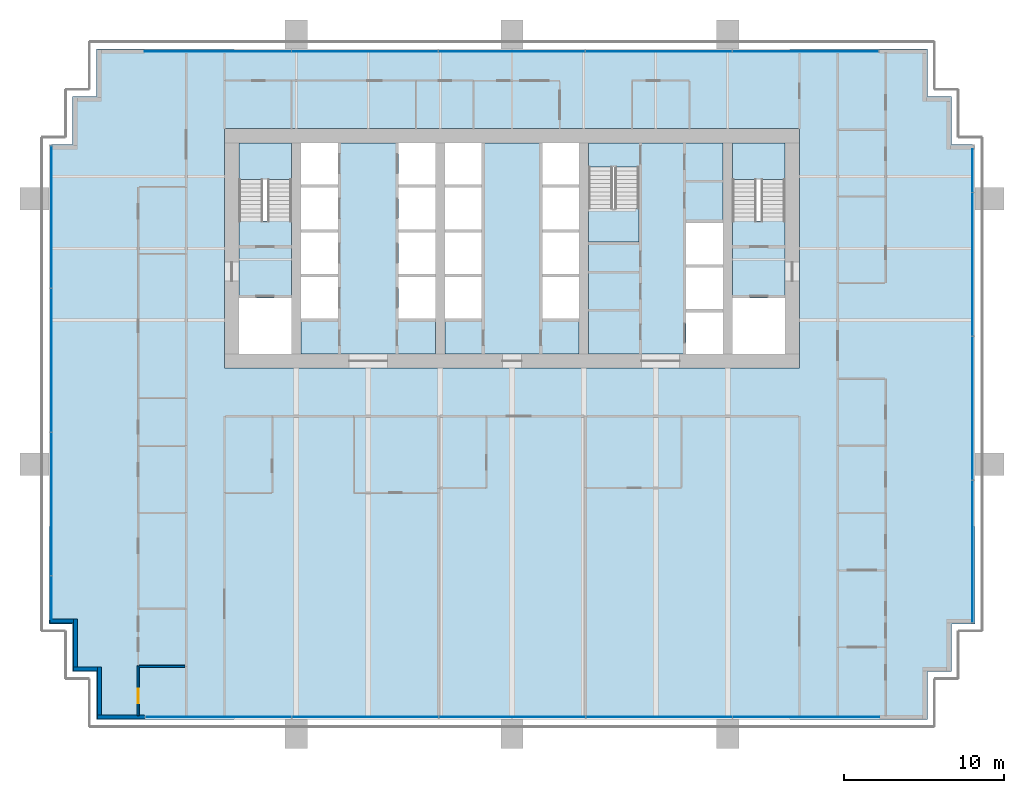
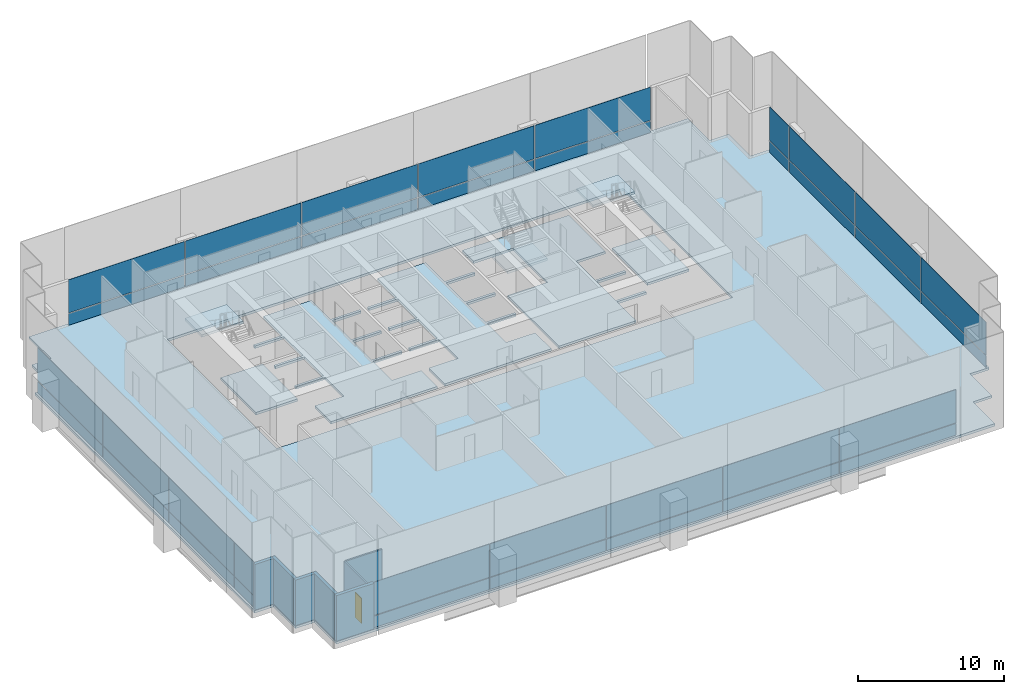
# One storey, part 9 of 17: 36 plates, 9 slabs, 7 walls, 1 door, 1 opening, 7 elements without a shape of their own.
"""IFC4 building model written with IfcOpenShell, lengths in metres."""

from ifc_helpers import new_model, si_unit, direction, frame, frame_2d, origin, origin_2d, place, context, subcontext, project, spatial, polyline, rectangle, outline, extrude, material, layer, layer_set, type_object, element, fill, aggregate, save


model = new_model("IFC4")

# Units and contexts
model_context = context("Model", 3, precision=1e-05, world=origin(), true_north=direction((0.0, 1.0)))
body_context = subcontext(model_context, "Body", "Model", "MODEL_VIEW")
ifc_project = project(units=[si_unit("LENGTHUNIT", "METRE"), si_unit("AREAUNIT", "SQUARE_METRE"), si_unit("VOLUMEUNIT", "CUBIC_METRE"), si_unit("PLANEANGLEUNIT", "RADIAN"), si_unit("MASSUNIT", "GRAM", prefix="KILO")], contexts=[model_context])

# Site, building, storey
site_placement = place(None, origin())
site = spatial("IfcSite", under=ifc_project, at=site_placement, CompositionType="ELEMENT")
building_placement = place(site_placement, origin())
building = spatial("IfcBuilding", under=site, at=building_placement, Name="Rattan Terrace Tower", CompositionType="ELEMENT")
storey_placement = place(building_placement, frame((0.0, 0.0, 138.10009765625)))
storey = spatial("IfcBuildingStorey", under=building, at=storey_placement, Name="L31", CompositionType="ELEMENT", Elevation=138.10009765625)

# Stair, slab
ifc_material_1 = material(Name="Concrete C40/50", Category="concrete")
stair_type = type_object("IfcStairType", Name="Core exit stair 1500", PredefinedType="HALF_TURN_STAIR", material=ifc_material_1)
stair_1_placement = place(storey_placement, origin())
stair_1 = element("IfcStair", 1, at=stair_1_placement, inside=storey, type_object=stair_type, Name="L31 exit stair 1", PredefinedType="HALF_TURN_STAIR")
ifc_material_2 = material(Name="Concrete C40/50", Category="concrete")
ifc_layer_1 = layer(ifc_material_2, 0.199951171875)
ifc_layer_set_1 = layer_set([ifc_layer_1], Name="Core exit stair landing")
slab_type_1 = type_object("IfcSlabType", Name="Core exit stair landing", PredefinedType="LANDING", material=ifc_layer_set_1)
slab_1_placement = place(storey_placement, frame((0.0, 0.0, 1.7998046875)))
slab_1 = element("IfcSlab", 2, at=slab_1_placement, type_object=slab_type_1, Name="S1 landing 1", PredefinedType="LANDING", context=body_context, shape_type="SweptSolid", body=[
    extrude(outline(polyline([(-13.800048828125, 4.300048828125), (-13.800048828125, 6.60009765625), (-17.10009765625, 6.60009765625), (-17.10009765625, 4.300048828125), (-13.800048828125, 4.300048828125)])), origin(), (0.0, 0.0, 1.0), 0.2001953125),
])
aggregate(stair_1, [slab_1])

stair_2_placement = place(storey_placement, origin())
stair_2 = element("IfcStair", 3, at=stair_2_placement, inside=storey, type_object=stair_type, Name="L31 exit stair 2", PredefinedType="HALF_TURN_STAIR")
slab_2_placement = place(storey_placement, frame((0.0, 0.0, 1.7998046875)))
slab_2 = element("IfcSlab", 4, at=slab_2_placement, type_object=slab_type_1, Name="S2 landing 1", PredefinedType="LANDING", context=body_context, shape_type="SweptSolid", body=[
    extrude(outline(polyline([(17.10009765625, 4.300048828125), (17.10009765625, 6.60009765625), (13.800048828125, 6.60009765625), (13.800048828125, 4.300048828125), (17.10009765625, 4.300048828125)])), origin(), (0.0, 0.0, 1.0), 0.2001953125),
])
aggregate(stair_2, [slab_2])

stair_3_placement = place(storey_placement, origin())
stair_3 = element("IfcStair", 5, at=stair_3_placement, inside=storey, type_object=stair_type, Name="L31 exit stair 3", PredefinedType="HALF_TURN_STAIR")
slab_3_placement = place(storey_placement, frame((0.0, 0.0, 1.7998046875)))
slab_3 = element("IfcSlab", 6, at=slab_3_placement, type_object=slab_type_1, Name="S3 landing 1", PredefinedType="LANDING", context=body_context, shape_type="SweptSolid", body=[
    extrude(outline(polyline([(4.800048828125, 2.5), (4.800048828125, 0.39990234375), (7.949951171875, 0.39990234375), (7.949951171875, 2.5), (4.800048828125, 2.5)])), origin(), (0.0, 0.0, 1.0), 0.2001953125),
])
aggregate(stair_3, [slab_3])

# Curtain wall, plates
ifc_material_3 = material(Name="Aluminium and glass", Category="aluminium")
curtain_wall_type = type_object("IfcCurtainWallType", Name="Facade Unitised Curtain Wall", PredefinedType="NOTDEFINED", material=ifc_material_3)
curtain_wall_1_placement = place(storey_placement, origin())
curtain_wall_1 = element("IfcCurtainWall", 7, at=curtain_wall_1_placement, inside=storey, type_object=curtain_wall_type, Name="Curtain wall L31-1", PredefinedType="NOTDEFINED")
ifc_material_4 = material(Name="Aluminium insulated spandrel panel", Category="aluminium")
ifc_layer_2 = layer(ifc_material_4, 0.028076171875)
ifc_layer_set_2 = layer_set([ifc_layer_2], Name="Facade CW Spandrel Panel")
plate_type_1 = type_object("IfcPlateType", Name="Facade CW Spandrel Panel", PredefinedType="CURTAIN_PANEL", material=ifc_layer_set_2)
plate_1_placement = place(storey_placement, frame((28.830078125, -18.96240234375, 0.0), z_axis=(0.0, 0.0, 1.0), x_axis=(0.0, 1.0, 0.0)))
plate_1 = element("IfcPlate", 8, at=plate_1_placement, type_object=plate_type_1, Name="Panel cwl-L31-001.1.1", PredefinedType="CURTAIN_PANEL", context=body_context, shape_type="SweptSolid", body=[
    extrude(rectangle(XDim=8.864990234375, YDim=0.028076171875, at=origin_2d()), origin(), (0.0, 0.0, 1.0), 0.969970703125),
])
plate_2_placement = place(storey_placement, frame((28.830078125, -10.0, 0.0), z_axis=(0.0, 0.0, 1.0), x_axis=(0.0, 1.0, 0.0)))
plate_2 = element("IfcPlate", 9, at=plate_2_placement, type_object=plate_type_1, Name="Panel cwl-L31-001.2.1", PredefinedType="CURTAIN_PANEL", context=body_context, shape_type="SweptSolid", body=[
    extrude(rectangle(XDim=8.93994140625, YDim=0.028076171875, at=origin_2d()), origin(), (0.0, 0.0, 1.0), 0.969970703125),
])
plate_3_placement = place(storey_placement, frame((28.830078125, -1.0, 0.0), z_axis=(0.0, 0.0, 1.0), x_axis=(0.0, 1.0, 0.0)))
plate_3 = element("IfcPlate", 10, at=plate_3_placement, type_object=plate_type_1, Name="Panel cwl-L31-001.3.1", PredefinedType="CURTAIN_PANEL", context=body_context, shape_type="SweptSolid", body=[
    extrude(rectangle(XDim=8.93994140625, YDim=0.028076171875, at=origin_2d()), origin(), (0.0, 0.0, 1.0), 0.969970703125),
])
plate_4_placement = place(storey_placement, frame((28.830078125, 4.867431640625, 0.0), z_axis=(0.0, 0.0, 1.0), x_axis=(0.0, 1.0, 0.0)))
plate_4 = element("IfcPlate", 11, at=plate_4_placement, type_object=plate_type_1, Name="Panel cwl-L31-001.4.1", PredefinedType="CURTAIN_PANEL", context=body_context, shape_type="SweptSolid", body=[
    extrude(rectangle(XDim=2.675048828125, YDim=0.028076171875, at=origin_2d()), origin(), (0.0, 0.0, 1.0), 0.969970703125),
])

curtain_wall_2_placement = place(storey_placement, origin())
curtain_wall_2 = element("IfcCurtainWall", 12, at=curtain_wall_2_placement, inside=storey, type_object=curtain_wall_type, Name="Curtain wall L31-2", PredefinedType="NOTDEFINED")
plate_5_placement = place(storey_placement, frame((18.384521484375, 12.330078125, 0.0), z_axis=(0.0, 0.0, 1.0), x_axis=(-1.0, 0.0, 0.0)))
plate_5 = element("IfcPlate", 13, at=plate_5_placement, type_object=plate_type_1, Name="Panel cwl-L31-002.1.1", PredefinedType="CURTAIN_PANEL", context=body_context, shape_type="SweptSolid", body=[
    extrude(rectangle(XDim=9.111083984375, YDim=0.028076171875, at=origin_2d()), origin(), (0.0, 0.0, 1.0), 0.969970703125),
])
plate_6_placement = place(storey_placement, frame((9.198486328125, 12.330078125, 0.0), z_axis=(0.0, 0.0, 1.0), x_axis=(-1.0, 0.0, 0.0)))
plate_6 = element("IfcPlate", 14, at=plate_6_placement, type_object=plate_type_1, Name="Panel cwl-L31-002.2.1", PredefinedType="CURTAIN_PANEL", context=body_context, shape_type="SweptSolid", body=[
    extrude(rectangle(XDim=9.14111328125, YDim=0.028076171875, at=origin_2d()), origin(), (0.0, 0.0, 1.0), 0.969970703125),
])
plate_7_placement = place(storey_placement, frame((-0.00244140625, 12.330078125, 0.0), z_axis=(0.0, 0.0, 1.0), x_axis=(-1.0, 0.0, 0.0)))
plate_7 = element("IfcPlate", 15, at=plate_7_placement, type_object=plate_type_1, Name="Panel cwl-L31-002.3.1", PredefinedType="CURTAIN_PANEL", context=body_context, shape_type="SweptSolid", body=[
    extrude(rectangle(XDim=9.14111328125, YDim=0.028076171875, at=origin_2d()), origin(), (0.0, 0.0, 1.0), 0.969970703125),
])
plate_8_placement = place(storey_placement, frame((-9.20361328125, 12.330078125, 0.0), z_axis=(0.0, 0.0, 1.0), x_axis=(-1.0, 0.0, 0.0)))
plate_8 = element("IfcPlate", 16, at=plate_8_placement, type_object=plate_type_1, Name="Panel cwl-L31-002.4.1", PredefinedType="CURTAIN_PANEL", context=body_context, shape_type="SweptSolid", body=[
    extrude(rectangle(XDim=9.14111328125, YDim=0.028076171875, at=origin_2d()), origin(), (0.0, 0.0, 1.0), 0.969970703125),
])
plate_9_placement = place(storey_placement, frame((-18.4169921875, 12.330078125, 0.0), z_axis=(0.0, 0.0, 1.0), x_axis=(-1.0, 0.0, 0.0)))
plate_9 = element("IfcPlate", 17, at=plate_9_placement, type_object=plate_type_1, Name="Panel cwl-L31-002.5.1", PredefinedType="CURTAIN_PANEL", context=body_context, shape_type="SweptSolid", body=[
    extrude(rectangle(XDim=9.166015625, YDim=0.028076171875, at=origin_2d()), origin(), (0.0, 0.0, 1.0), 0.969970703125),
])

curtain_wall_3_placement = place(storey_placement, origin())
curtain_wall_3 = element("IfcCurtainWall", 18, at=curtain_wall_3_placement, inside=storey, type_object=curtain_wall_type, Name="Curtain wall L31-3", PredefinedType="NOTDEFINED")
plate_10_placement = place(storey_placement, frame((-28.830078125, 1.96240234375, 0.0), z_axis=(0.0, 0.0, 1.0), x_axis=(0.0, -1.0, 0.0)))
plate_10 = element("IfcPlate", 19, at=plate_10_placement, type_object=plate_type_1, Name="Panel cwl-L31-003.1.1", PredefinedType="CURTAIN_PANEL", context=body_context, shape_type="SweptSolid", body=[
    extrude(rectangle(XDim=8.864990234375, YDim=0.028076171875, at=origin_2d()), origin(), (0.0, 0.0, 1.0), 0.969970703125),
])
plate_11_placement = place(storey_placement, frame((-28.830078125, -7.0, 0.0), z_axis=(0.0, 0.0, 1.0), x_axis=(0.0, -1.0, 0.0)))
plate_11 = element("IfcPlate", 20, at=plate_11_placement, type_object=plate_type_1, Name="Panel cwl-L31-003.2.1", PredefinedType="CURTAIN_PANEL", context=body_context, shape_type="SweptSolid", body=[
    extrude(rectangle(XDim=8.93994140625, YDim=0.028076171875, at=origin_2d()), origin(), (0.0, 0.0, 1.0), 0.969970703125),
])
plate_12_placement = place(storey_placement, frame((-28.830078125, -16.0, 0.0), z_axis=(0.0, 0.0, 1.0), x_axis=(0.0, -1.0, 0.0)))
plate_12 = element("IfcPlate", 21, at=plate_12_placement, type_object=plate_type_1, Name="Panel cwl-L31-003.3.1", PredefinedType="CURTAIN_PANEL", context=body_context, shape_type="SweptSolid", body=[
    extrude(rectangle(XDim=8.93994140625, YDim=0.028076171875, at=origin_2d()), origin(), (0.0, 0.0, 1.0), 0.969970703125),
])
plate_13_placement = place(storey_placement, frame((-28.830078125, -21.867431640625, 0.0), z_axis=(0.0, 0.0, 1.0), x_axis=(0.0, -1.0, 0.0)))
plate_13 = element("IfcPlate", 22, at=plate_13_placement, type_object=plate_type_1, Name="Panel cwl-L31-003.4.1", PredefinedType="CURTAIN_PANEL", context=body_context, shape_type="SweptSolid", body=[
    extrude(rectangle(XDim=2.675048828125, YDim=0.028076171875, at=origin_2d()), origin(), (0.0, 0.0, 1.0), 0.969970703125),
])

curtain_wall_4_placement = place(storey_placement, origin())
curtain_wall_4 = element("IfcCurtainWall", 23, at=curtain_wall_4_placement, inside=storey, type_object=curtain_wall_type, Name="Curtain wall L31-4", PredefinedType="NOTDEFINED")
plate_14_placement = place(storey_placement, frame((-18.384521484375, -29.330078125, 0.0), z_axis=(0.0, 0.0, 1.0), x_axis=(1.0, 0.0, 0.0)))
plate_14 = element("IfcPlate", 24, at=plate_14_placement, type_object=plate_type_1, Name="Panel cwl-L31-004.1.1", PredefinedType="CURTAIN_PANEL", context=body_context, shape_type="SweptSolid", body=[
    extrude(rectangle(XDim=9.111083984375, YDim=0.028076171875, at=origin_2d()), origin(), (0.0, 0.0, 1.0), 0.969970703125),
])
plate_15_placement = place(storey_placement, frame((-9.198486328125, -29.330078125, 0.0), z_axis=(0.0, 0.0, 1.0), x_axis=(1.0, 0.0, 0.0)))
plate_15 = element("IfcPlate", 25, at=plate_15_placement, type_object=plate_type_1, Name="Panel cwl-L31-004.2.1", PredefinedType="CURTAIN_PANEL", context=body_context, shape_type="SweptSolid", body=[
    extrude(rectangle(XDim=9.14111328125, YDim=0.028076171875, at=origin_2d()), origin(), (0.0, 0.0, 1.0), 0.969970703125),
])
plate_16_placement = place(storey_placement, frame((0.00244140625, -29.330078125, 0.0), z_axis=(0.0, 0.0, 1.0), x_axis=(1.0, 0.0, 0.0)))
plate_16 = element("IfcPlate", 26, at=plate_16_placement, type_object=plate_type_1, Name="Panel cwl-L31-004.3.1", PredefinedType="CURTAIN_PANEL", context=body_context, shape_type="SweptSolid", body=[
    extrude(rectangle(XDim=9.14111328125, YDim=0.028076171875, at=origin_2d()), origin(), (0.0, 0.0, 1.0), 0.969970703125),
])
plate_17_placement = place(storey_placement, frame((9.20361328125, -29.330078125, 0.0), z_axis=(0.0, 0.0, 1.0), x_axis=(1.0, 0.0, 0.0)))
plate_17 = element("IfcPlate", 27, at=plate_17_placement, type_object=plate_type_1, Name="Panel cwl-L31-004.4.1", PredefinedType="CURTAIN_PANEL", context=body_context, shape_type="SweptSolid", body=[
    extrude(rectangle(XDim=9.14111328125, YDim=0.028076171875, at=origin_2d()), origin(), (0.0, 0.0, 1.0), 0.969970703125),
])
plate_18_placement = place(storey_placement, frame((18.4169921875, -29.330078125, 0.0), z_axis=(0.0, 0.0, 1.0), x_axis=(1.0, 0.0, 0.0)))
plate_18 = element("IfcPlate", 28, at=plate_18_placement, type_object=plate_type_1, Name="Panel cwl-L31-004.5.1", PredefinedType="CURTAIN_PANEL", context=body_context, shape_type="SweptSolid", body=[
    extrude(rectangle(XDim=9.166015625, YDim=0.028076171875, at=origin_2d()), origin(), (0.0, 0.0, 1.0), 0.969970703125),
])

# Plate
ifc_material_5 = material(Name="Clear low-iron glass", Category="glass")
ifc_layer_3 = layer(ifc_material_5, 0.028076171875)
ifc_layer_set_3 = layer_set([ifc_layer_3], Name="Facade CW Vision Panel")
plate_type_2 = type_object("IfcPlateType", Name="Facade CW Vision Panel", PredefinedType="CURTAIN_PANEL", material=ifc_layer_set_3)
plate_19_placement = place(storey_placement, frame((28.830078125, -18.96240234375, 1.02978515625), z_axis=(0.0, 0.0, 1.0), x_axis=(0.0, 1.0, 0.0)))
plate_19 = element("IfcPlate", 29, at=plate_19_placement, type_object=plate_type_2, Name="Panel cwl-L31-001.1.2", PredefinedType="CURTAIN_PANEL", context=body_context, shape_type="SweptSolid", body=[
    extrude(rectangle(XDim=8.864990234375, YDim=0.028076171875, at=origin_2d()), origin(), (0.0, 0.0, 1.0), 2.77001953125),
])

plate_20_placement = place(storey_placement, frame((28.830078125, -10.0, 1.02978515625), z_axis=(0.0, 0.0, 1.0), x_axis=(0.0, 1.0, 0.0)))
plate_20 = element("IfcPlate", 30, at=plate_20_placement, type_object=plate_type_2, Name="Panel cwl-L31-001.2.2", PredefinedType="CURTAIN_PANEL", context=body_context, shape_type="SweptSolid", body=[
    extrude(rectangle(XDim=8.93994140625, YDim=0.028076171875, at=origin_2d()), origin(), (0.0, 0.0, 1.0), 2.77001953125),
])

plate_21_placement = place(storey_placement, frame((28.830078125, -1.0, 1.02978515625), z_axis=(0.0, 0.0, 1.0), x_axis=(0.0, 1.0, 0.0)))
plate_21 = element("IfcPlate", 31, at=plate_21_placement, type_object=plate_type_2, Name="Panel cwl-L31-001.3.2", PredefinedType="CURTAIN_PANEL", context=body_context, shape_type="SweptSolid", body=[
    extrude(rectangle(XDim=8.93994140625, YDim=0.028076171875, at=origin_2d()), origin(), (0.0, 0.0, 1.0), 2.77001953125),
])

plate_22_placement = place(storey_placement, frame((28.830078125, 4.867431640625, 1.02978515625), z_axis=(0.0, 0.0, 1.0), x_axis=(0.0, 1.0, 0.0)))
plate_22 = element("IfcPlate", 32, at=plate_22_placement, type_object=plate_type_2, Name="Panel cwl-L31-001.4.2", PredefinedType="CURTAIN_PANEL", context=body_context, shape_type="SweptSolid", body=[
    extrude(rectangle(XDim=2.675048828125, YDim=0.028076171875, at=origin_2d()), origin(), (0.0, 0.0, 1.0), 2.77001953125),
])

aggregate(curtain_wall_1, [plate_1, plate_19, plate_2, plate_20, plate_3, plate_21, plate_4, plate_22])

plate_23_placement = place(storey_placement, frame((18.384521484375, 12.330078125, 1.02978515625), z_axis=(0.0, 0.0, 1.0), x_axis=(-1.0, 0.0, 0.0)))
plate_23 = element("IfcPlate", 33, at=plate_23_placement, type_object=plate_type_2, Name="Panel cwl-L31-002.1.2", PredefinedType="CURTAIN_PANEL", context=body_context, shape_type="SweptSolid", body=[
    extrude(rectangle(XDim=9.111083984375, YDim=0.028076171875, at=origin_2d()), origin(), (0.0, 0.0, 1.0), 2.77001953125),
])

plate_24_placement = place(storey_placement, frame((9.198486328125, 12.330078125, 1.02978515625), z_axis=(0.0, 0.0, 1.0), x_axis=(-1.0, 0.0, 0.0)))
plate_24 = element("IfcPlate", 34, at=plate_24_placement, type_object=plate_type_2, Name="Panel cwl-L31-002.2.2", PredefinedType="CURTAIN_PANEL", context=body_context, shape_type="SweptSolid", body=[
    extrude(rectangle(XDim=9.14111328125, YDim=0.028076171875, at=origin_2d()), origin(), (0.0, 0.0, 1.0), 2.77001953125),
])

plate_25_placement = place(storey_placement, frame((-0.00244140625, 12.330078125, 1.02978515625), z_axis=(0.0, 0.0, 1.0), x_axis=(-1.0, 0.0, 0.0)))
plate_25 = element("IfcPlate", 35, at=plate_25_placement, type_object=plate_type_2, Name="Panel cwl-L31-002.3.2", PredefinedType="CURTAIN_PANEL", context=body_context, shape_type="SweptSolid", body=[
    extrude(rectangle(XDim=9.14111328125, YDim=0.028076171875, at=origin_2d()), origin(), (0.0, 0.0, 1.0), 2.77001953125),
])

plate_26_placement = place(storey_placement, frame((-9.20361328125, 12.330078125, 1.02978515625), z_axis=(0.0, 0.0, 1.0), x_axis=(-1.0, 0.0, 0.0)))
plate_26 = element("IfcPlate", 36, at=plate_26_placement, type_object=plate_type_2, Name="Panel cwl-L31-002.4.2", PredefinedType="CURTAIN_PANEL", context=body_context, shape_type="SweptSolid", body=[
    extrude(rectangle(XDim=9.14111328125, YDim=0.028076171875, at=origin_2d()), origin(), (0.0, 0.0, 1.0), 2.77001953125),
])

plate_27_placement = place(storey_placement, frame((-18.4169921875, 12.330078125, 1.02978515625), z_axis=(0.0, 0.0, 1.0), x_axis=(-1.0, 0.0, 0.0)))
plate_27 = element("IfcPlate", 37, at=plate_27_placement, type_object=plate_type_2, Name="Panel cwl-L31-002.5.2", PredefinedType="CURTAIN_PANEL", context=body_context, shape_type="SweptSolid", body=[
    extrude(rectangle(XDim=9.166015625, YDim=0.028076171875, at=origin_2d()), origin(), (0.0, 0.0, 1.0), 2.77001953125),
])

aggregate(curtain_wall_2, [plate_5, plate_23, plate_6, plate_24, plate_7, plate_25, plate_8, plate_26, plate_9, plate_27])

plate_28_placement = place(storey_placement, frame((-28.830078125, 1.96240234375, 1.02978515625), z_axis=(0.0, 0.0, 1.0), x_axis=(0.0, -1.0, 0.0)))
plate_28 = element("IfcPlate", 38, at=plate_28_placement, type_object=plate_type_2, Name="Panel cwl-L31-003.1.2", PredefinedType="CURTAIN_PANEL", context=body_context, shape_type="SweptSolid", body=[
    extrude(rectangle(XDim=8.864990234375, YDim=0.028076171875, at=origin_2d()), origin(), (0.0, 0.0, 1.0), 2.77001953125),
])

plate_29_placement = place(storey_placement, frame((-28.830078125, -7.0, 1.02978515625), z_axis=(0.0, 0.0, 1.0), x_axis=(0.0, -1.0, 0.0)))
plate_29 = element("IfcPlate", 39, at=plate_29_placement, type_object=plate_type_2, Name="Panel cwl-L31-003.2.2", PredefinedType="CURTAIN_PANEL", context=body_context, shape_type="SweptSolid", body=[
    extrude(rectangle(XDim=8.93994140625, YDim=0.028076171875, at=origin_2d()), origin(), (0.0, 0.0, 1.0), 2.77001953125),
])

plate_30_placement = place(storey_placement, frame((-28.830078125, -16.0, 1.02978515625), z_axis=(0.0, 0.0, 1.0), x_axis=(0.0, -1.0, 0.0)))
plate_30 = element("IfcPlate", 40, at=plate_30_placement, type_object=plate_type_2, Name="Panel cwl-L31-003.3.2", PredefinedType="CURTAIN_PANEL", context=body_context, shape_type="SweptSolid", body=[
    extrude(rectangle(XDim=8.93994140625, YDim=0.028076171875, at=origin_2d()), origin(), (0.0, 0.0, 1.0), 2.77001953125),
])

plate_31_placement = place(storey_placement, frame((-28.830078125, -21.867431640625, 1.02978515625), z_axis=(0.0, 0.0, 1.0), x_axis=(0.0, -1.0, 0.0)))
plate_31 = element("IfcPlate", 41, at=plate_31_placement, type_object=plate_type_2, Name="Panel cwl-L31-003.4.2", PredefinedType="CURTAIN_PANEL", context=body_context, shape_type="SweptSolid", body=[
    extrude(rectangle(XDim=2.675048828125, YDim=0.028076171875, at=origin_2d()), origin(), (0.0, 0.0, 1.0), 2.77001953125),
])

aggregate(curtain_wall_3, [plate_10, plate_28, plate_11, plate_29, plate_12, plate_30, plate_13, plate_31])

plate_32_placement = place(storey_placement, frame((-18.384521484375, -29.330078125, 1.02978515625), z_axis=(0.0, 0.0, 1.0), x_axis=(1.0, 0.0, 0.0)))
plate_32 = element("IfcPlate", 42, at=plate_32_placement, type_object=plate_type_2, Name="Panel cwl-L31-004.1.2", PredefinedType="CURTAIN_PANEL", context=body_context, shape_type="SweptSolid", body=[
    extrude(rectangle(XDim=9.111083984375, YDim=0.028076171875, at=origin_2d()), origin(), (0.0, 0.0, 1.0), 2.77001953125),
])

plate_33_placement = place(storey_placement, frame((-9.198486328125, -29.330078125, 1.02978515625), z_axis=(0.0, 0.0, 1.0), x_axis=(1.0, 0.0, 0.0)))
plate_33 = element("IfcPlate", 43, at=plate_33_placement, type_object=plate_type_2, Name="Panel cwl-L31-004.2.2", PredefinedType="CURTAIN_PANEL", context=body_context, shape_type="SweptSolid", body=[
    extrude(rectangle(XDim=9.14111328125, YDim=0.028076171875, at=origin_2d()), origin(), (0.0, 0.0, 1.0), 2.77001953125),
])

plate_34_placement = place(storey_placement, frame((0.00244140625, -29.330078125, 1.02978515625), z_axis=(0.0, 0.0, 1.0), x_axis=(1.0, 0.0, 0.0)))
plate_34 = element("IfcPlate", 44, at=plate_34_placement, type_object=plate_type_2, Name="Panel cwl-L31-004.3.2", PredefinedType="CURTAIN_PANEL", context=body_context, shape_type="SweptSolid", body=[
    extrude(rectangle(XDim=9.14111328125, YDim=0.028076171875, at=origin_2d()), origin(), (0.0, 0.0, 1.0), 2.77001953125),
])

plate_35_placement = place(storey_placement, frame((9.20361328125, -29.330078125, 1.02978515625), z_axis=(0.0, 0.0, 1.0), x_axis=(1.0, 0.0, 0.0)))
plate_35 = element("IfcPlate", 45, at=plate_35_placement, type_object=plate_type_2, Name="Panel cwl-L31-004.4.2", PredefinedType="CURTAIN_PANEL", context=body_context, shape_type="SweptSolid", body=[
    extrude(rectangle(XDim=9.14111328125, YDim=0.028076171875, at=origin_2d()), origin(), (0.0, 0.0, 1.0), 2.77001953125),
])

plate_36_placement = place(storey_placement, frame((18.4169921875, -29.330078125, 1.02978515625), z_axis=(0.0, 0.0, 1.0), x_axis=(1.0, 0.0, 0.0)))
plate_36 = element("IfcPlate", 46, at=plate_36_placement, type_object=plate_type_2, Name="Panel cwl-L31-004.5.2", PredefinedType="CURTAIN_PANEL", context=body_context, shape_type="SweptSolid", body=[
    extrude(rectangle(XDim=9.166015625, YDim=0.028076171875, at=origin_2d()), origin(), (0.0, 0.0, 1.0), 2.77001953125),
])

aggregate(curtain_wall_4, [plate_14, plate_32, plate_15, plate_33, plate_16, plate_34, plate_17, plate_35, plate_18, plate_36])

# Slabs
ifc_material_6 = material(Name="Concrete C35/45", Category="concrete")
ifc_layer_4 = layer(ifc_material_6, 0.199951171875)
ifc_layer_set_4 = layer_set([ifc_layer_4], Name="Frame composite floor slab 200")
slab_type_2 = type_object("IfcSlabType", Name="Frame composite floor slab 200", PredefinedType="FLOOR", material=ifc_layer_set_4)
slab_4_placement = place(storey_placement, frame((0.0, 0.0, -0.2001953125)))
element("IfcSlab", 47, at=slab_4_placement, inside=storey, type_object=slab_type_2, Name="Floor slab", PredefinedType="FLOOR", context=body_context, shape_type="SweptSolid", body=[
    extrude(outline(polyline([(-23.0, -29.5), (23.0, -29.5), (26.0, -29.5), (26.0, -26.5), (27.5, -26.5), (27.5, -23.5), (29.0, -23.5), (29.0, 6.5), (27.5, 6.5), (27.5, 9.5), (26.0, 9.5), (26.0, 12.5), (23.0, 12.5), (-23.0, 12.5), (-26.0, 12.5), (-26.0, 9.5), (-27.5, 9.5), (-27.5, 6.5), (-29.0, 6.5), (-29.0, -23.5), (-27.5, -23.5), (-27.5, -26.5), (-26.0, -26.5), (-26.0, -29.5), (-23.0, -29.5)]), holes=[polyline([(-18.0, -6.60009765625), (-18.0, -7.5), (18.0, -7.5), (18.0, -6.60009765625), (18.0, 6.60009765625), (18.0, 7.5), (-18.0, 7.5), (-18.0, 6.60009765625), (-18.0, -6.60009765625)])]), origin(), (0.0, 0.0, 1.0), 0.2001953125),
])
slab_5_placement = place(storey_placement, frame((0.0, 0.0, -0.2001953125)))
element("IfcSlab", 48, at=slab_5_placement, inside=storey, type_object=slab_type_2, Name="Floor slab", PredefinedType="FLOOR", context=body_context, shape_type="SweptSolid", body=[
    extrude(outline(polyline([(-10.89990234375, 6.60009765625), (-10.89990234375, 4.0), (-13.199951171875, 4.0), (-13.199951171875, 3.800048828125), (-10.89990234375, 3.800048828125), (-10.89990234375, 1.199951171875), (-13.199951171875, 1.199951171875), (-13.199951171875, 1.0), (-10.89990234375, 1.0), (-10.89990234375, -1.60009765625), (-13.199951171875, -1.60009765625), (-13.199951171875, -1.800048828125), (-10.89990234375, -1.800048828125), (-10.89990234375, -4.39990234375), (-13.199951171875, -4.39990234375), (-13.199951171875, -6.60009765625), (-4.800048828125, -6.60009765625), (-4.800048828125, -4.39990234375), (-7.10009765625, -4.39990234375), (-7.10009765625, -1.800048828125), (-4.800048828125, -1.800048828125), (-4.800048828125, -1.60009765625), (-7.10009765625, -1.60009765625), (-7.10009765625, 1.0), (-4.800048828125, 1.0), (-4.800048828125, 1.199951171875), (-7.10009765625, 1.199951171875), (-7.10009765625, 3.800048828125), (-4.800048828125, 3.800048828125), (-4.800048828125, 4.0), (-7.10009765625, 4.0), (-7.10009765625, 6.60009765625), (-10.89990234375, 6.60009765625)])), origin(), (0.0, 0.0, 1.0), 0.2001953125),
])
slab_6_placement = place(storey_placement, frame((0.0, 0.0, -0.2001953125)))
element("IfcSlab", 49, at=slab_6_placement, inside=storey, type_object=slab_type_2, Name="Floor slab", PredefinedType="FLOOR", context=body_context, shape_type="SweptSolid", body=[
    extrude(outline(polyline([(-17.10009765625, -3.10009765625), (-13.800048828125, -3.10009765625), (-13.800048828125, 1.7099609375), (-17.10009765625, 1.7099609375), (-17.10009765625, -3.10009765625)])), origin(), (0.0, 0.0, 1.0), 0.2001953125),
])
slab_7_placement = place(storey_placement, frame((0.0, 0.0, -0.2001953125)))
element("IfcSlab", 50, at=slab_7_placement, inside=storey, type_object=slab_type_2, Name="Floor slab", PredefinedType="FLOOR", context=body_context, shape_type="SweptSolid", body=[
    extrude(outline(polyline([(-4.199951171875, 4.0), (-4.199951171875, 3.800048828125), (-1.89990234375, 3.800048828125), (-1.89990234375, 1.199951171875), (-4.199951171875, 1.199951171875), (-4.199951171875, 1.0), (-1.89990234375, 1.0), (-1.89990234375, -1.60009765625), (-4.199951171875, -1.60009765625), (-4.199951171875, -1.800048828125), (-1.89990234375, -1.800048828125), (-1.89990234375, -4.39990234375), (-4.199951171875, -4.39990234375), (-4.199951171875, -6.60009765625), (4.199951171875, -6.60009765625), (4.199951171875, -4.39990234375), (1.89990234375, -4.39990234375), (1.89990234375, -1.800048828125), (4.199951171875, -1.800048828125), (4.199951171875, -1.60009765625), (1.89990234375, -1.60009765625), (1.89990234375, 1.0), (4.199951171875, 1.0), (4.199951171875, 1.199951171875), (1.89990234375, 1.199951171875), (1.89990234375, 3.800048828125), (4.199951171875, 3.800048828125), (4.199951171875, 4.0), (1.89990234375, 4.0), (1.89990234375, 6.60009765625), (-1.89990234375, 6.60009765625), (-1.89990234375, 4.0), (-4.199951171875, 4.0)])), origin(), (0.0, 0.0, 1.0), 0.2001953125),
])
slab_8_placement = place(storey_placement, frame((0.0, 0.0, -0.2001953125)))
element("IfcSlab", 51, at=slab_8_placement, inside=storey, type_object=slab_type_2, Name="Floor slab", PredefinedType="FLOOR", context=body_context, shape_type="SweptSolid", body=[
    extrude(outline(polyline([(4.800048828125, 5.090087890625), (7.949951171875, 5.090087890625), (7.949951171875, 0.39990234375), (4.800048828125, 0.39990234375), (4.800048828125, -6.60009765625), (10.89990234375, -6.60009765625), (10.89990234375, -4.0), (13.199951171875, -4.0), (13.199951171875, -3.800048828125), (10.89990234375, -3.800048828125), (10.89990234375, -1.199951171875), (13.199951171875, -1.199951171875), (13.199951171875, -1.0), (10.89990234375, -1.0), (10.89990234375, 1.60009765625), (13.199951171875, 1.60009765625), (13.199951171875, 6.60009765625), (4.800048828125, 6.60009765625), (4.800048828125, 5.090087890625)])), origin(), (0.0, 0.0, 1.0), 0.2001953125),
])
slab_9_placement = place(storey_placement, frame((0.0, 0.0, -0.2001953125)))
element("IfcSlab", 52, at=slab_9_placement, inside=storey, type_object=slab_type_2, Name="Floor slab", PredefinedType="FLOOR", context=body_context, shape_type="SweptSolid", body=[
    extrude(outline(polyline([(13.800048828125, -3.10009765625), (17.10009765625, -3.10009765625), (17.10009765625, 1.7099609375), (13.800048828125, 1.7099609375), (13.800048828125, -3.10009765625)])), origin(), (0.0, 0.0, 1.0), 0.2001953125),
])

# Walls
ifc_material_7 = material(Name="Insulated aluminium-clad stud wall", Category="aluminium")
ifc_layer_5 = layer(ifc_material_7, 0.25)
ifc_layer_set_5 = layer_set([ifc_layer_5], Name="Facade Riser Wall 250")
wall_type_1 = type_object("IfcWallType", Name="Facade Riser Wall 250", PredefinedType="SOLIDWALL", material=ifc_layer_set_5)
wall_1_placement = place(storey_placement, frame((-28.909912109375, -23.330078125, 0.0), z_axis=(0.0, 0.0, 1.0), x_axis=(1.0, 0.0, 0.0)))
element("IfcWall", 53, at=wall_1_placement, inside=storey, type_object=wall_type_1, Name="Riser wall L31-16", PredefinedType="SOLIDWALL", context=body_context, shape_type="SweptSolid", body=[
    extrude(rectangle(XDim=1.454833984375, YDim=0.25, at=frame_2d((0.7275390625, 0.0))), origin(), (0.0, 0.0, 1.0), 3.7998046875),
])
wall_2_placement = place(storey_placement, frame((-27.330078125, -23.205078125, 0.0), z_axis=(0.0, 0.0, 1.0), x_axis=(0.0, -1.0, 0.0)))
element("IfcWall", 54, at=wall_2_placement, inside=storey, type_object=wall_type_1, Name="Riser wall L31-17", PredefinedType="SOLIDWALL", context=body_context, shape_type="SweptSolid", body=[
    extrude(rectangle(XDim=3.0, YDim=0.25, at=frame_2d((1.5, 0.0))), origin(), (0.0, 0.0, 1.0), 3.7998046875),
])
wall_3_placement = place(storey_placement, frame((-27.455078125, -26.330078125, 0.0), z_axis=(0.0, 0.0, 1.0), x_axis=(1.0, 0.0, 0.0)))
element("IfcWall", 55, at=wall_3_placement, inside=storey, type_object=wall_type_1, Name="Riser wall L31-18", PredefinedType="SOLIDWALL", context=body_context, shape_type="SweptSolid", body=[
    extrude(rectangle(XDim=1.5, YDim=0.25, at=frame_2d((0.75, 0.0))), origin(), (0.0, 0.0, 1.0), 3.7998046875),
])
wall_4_placement = place(storey_placement, frame((-25.830078125, -26.205078125, 0.0), z_axis=(0.0, 0.0, 1.0), x_axis=(0.0, -1.0, 0.0)))
element("IfcWall", 56, at=wall_4_placement, inside=storey, type_object=wall_type_1, Name="Riser wall L31-19", PredefinedType="SOLIDWALL", context=body_context, shape_type="SweptSolid", body=[
    extrude(rectangle(XDim=3.0, YDim=0.25, at=frame_2d((1.5, 0.0))), origin(), (0.0, 0.0, 1.0), 3.7998046875),
])
wall_5_placement = place(storey_placement, frame((-25.955078125, -29.330078125, 0.0), z_axis=(0.0, 0.0, 1.0), x_axis=(1.0, 0.0, 0.0)))
element("IfcWall", 57, at=wall_5_placement, inside=storey, type_object=wall_type_1, Name="Riser wall L31-20", PredefinedType="SOLIDWALL", context=body_context, shape_type="SweptSolid", body=[
    extrude(rectangle(XDim=2.955078125, YDim=0.25, at=frame_2d((1.4775390625, 0.0))), origin(), (0.0, 0.0, 1.0), 3.7998046875),
])

# Wall, opening, door
ifc_material_8 = material(Name="Moisture resistant gypsum board partition on steel studs with service cavity", Category="steel")
ifc_layer_6 = layer(ifc_material_8, 0.1201171875)
ifc_layer_set_6 = layer_set([ifc_layer_6], Name="Floors Wet Wall 120")
wall_type_2 = type_object("IfcWallType", Name="Floors Wet Wall 120", PredefinedType="PARTITIONING", material=ifc_layer_set_6)
wall_6_placement = place(storey_placement, frame((-23.39990234375, -26.139892578125, 0.0), z_axis=(0.0, 0.0, 1.0), x_axis=(0.0, -1.0, 0.0)))
wall_6 = element("IfcWall", 58, at=wall_6_placement, inside=storey, type_object=wall_type_2, Name="pt-L31-031", PredefinedType="PARTITIONING", context=body_context, shape_type="SweptSolid", body=[
    extrude(rectangle(XDim=3.10009765625, YDim=0.1201171875, at=frame_2d((1.550048828125, 0.0))), origin(), (0.0, 0.0, 1.0), 3.7998046875),
])
opening_placement = place(wall_6_placement, frame((1.43994140625, 0.0, 0.0)))
opening = element("IfcOpeningElement", 59, at=opening_placement, cuts=wall_6, Name="Opening L31-D101", PredefinedType="OPENING", context=body_context, shape_type="SweptSolid", body=[
    extrude(rectangle(XDim=0.89990234375, YDim=2.10009765625, at=frame_2d((0.449951171875, 1.050048828125))), frame((0.0, 0.070556640625, 0.0), z_axis=(0.0, -1.0, 0.0), x_axis=(1.0, 0.0, 0.0)), (0.0, 0.0, 1.0), 0.14111328125),
])
ifc_material_9 = material(Name="Solid core timber door, painted", Category="wood")
door_type = type_object("IfcDoorType", Name="Floors Door 900x2100", OperationType="NOTDEFINED", PredefinedType="DOOR", material=ifc_material_9)
door_placement = place(opening_placement, origin())
door = element("IfcDoor", 60, at=door_placement, inside=storey, type_object=door_type, Name="d-L31-101", OperationType="SINGLE_SWING_RIGHT", OverallHeight=2.10009765625, OverallWidth=0.89990234375, PredefinedType="DOOR", context=body_context, shape_type="SweptSolid", body=[
    extrude(rectangle(XDim=0.89990234375, YDim=2.10009765625, at=frame_2d((0.449951171875, 1.050048828125))), frame((0.0, 0.02490234375, 0.0), z_axis=(0.0, -1.0, 0.0), x_axis=(1.0, 0.0, 0.0)), (0.0, 0.0, 1.0), 0.050048828125),
])
fill(opening, door)

# Wall
wall_7_placement = place(storey_placement, frame((-23.340087890625, -26.159912109375, 0.0), z_axis=(0.0, 0.0, 1.0), x_axis=(1.0, 0.0, 0.0)))
element("IfcWall", 61, at=wall_7_placement, inside=storey, type_object=wall_type_2, Name="pt-L31-039", PredefinedType="PARTITIONING", context=body_context, shape_type="SweptSolid", body=[
    extrude(rectangle(XDim=2.864990234375, YDim=0.1201171875, at=frame_2d((1.4326171875, 0.0))), origin(), (0.0, 0.0, 1.0), 3.7998046875),
])

save(model, "model.ifc")
